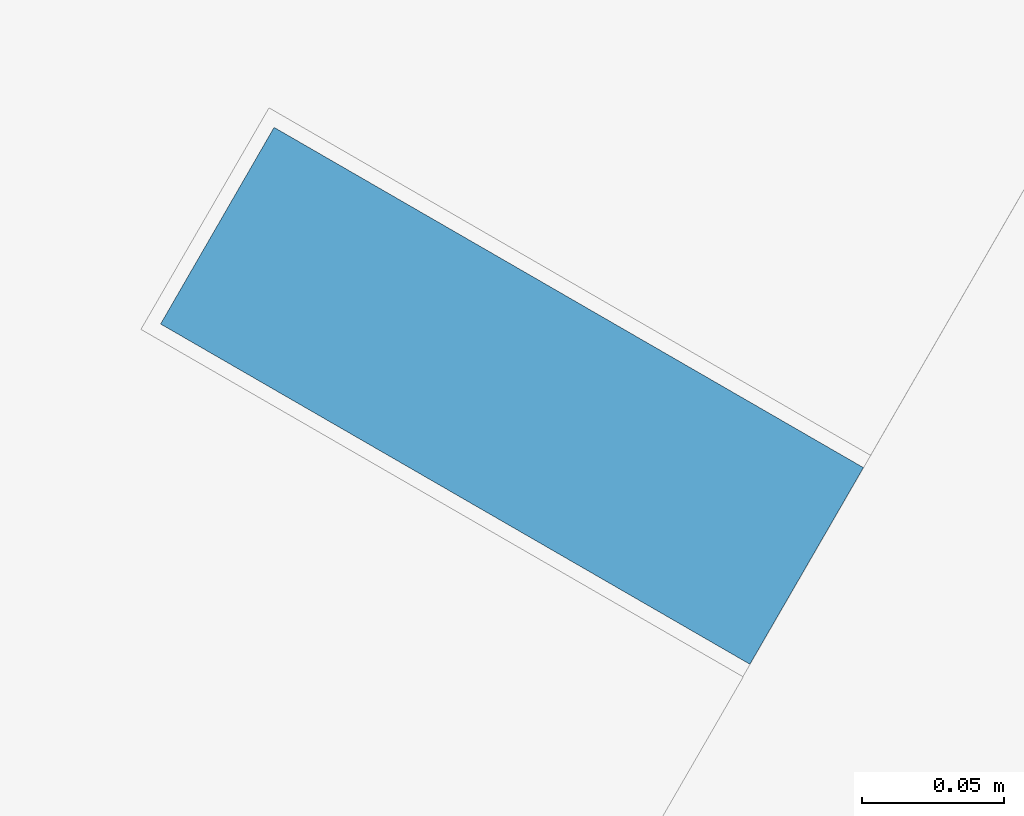
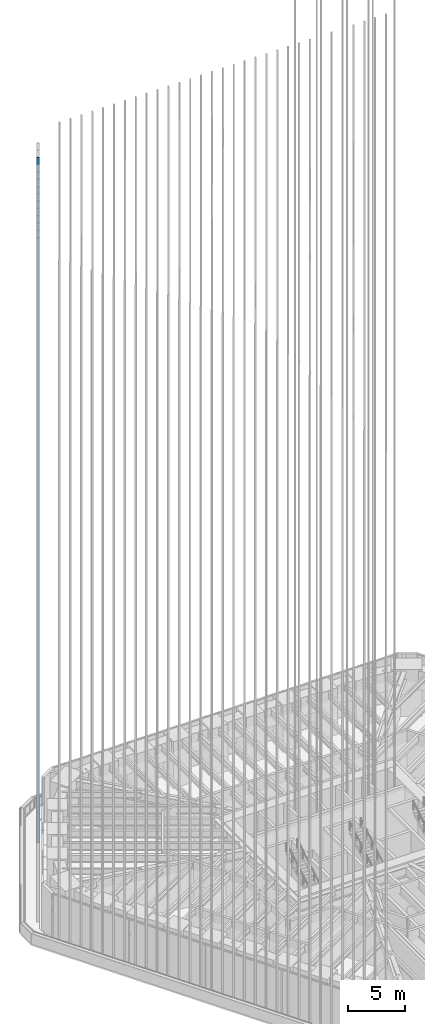
# One storey, part 150 of 228: 1 member, 1 element without a shape of its own.
"""IFC4 building model written with IfcOpenShell, lengths in metres."""

import ifcopenshell
import ifcopenshell.guid

model = None  # the IFC model being written
_history = None  # IfcOwnerHistory: only IFC2X3 demands one
_inside = {}  # id of a spatial element -> (the spatial element, [elements in it])
_under = {}  # id of a project, library or spatial element -> (it, [spatial elements below it])
_declared = {}  # id of a project -> (the project, [libraries it declares])
_typed = {}  # id of a type object -> (the type object, [elements of that type])
_made_of = {}  # id of a material, layer set ... -> (it, [elements and type objects made of it])


def new_model(schema):
    """Start an empty IFC model of exactly this schema.

    Asked for "IFC4X3", IfcOpenShell would pick the latest addendum, in which some entities
    have other attributes; the version numbers below select the first issue.
    IFC2X3 requires an IfcOwnerHistory on every rooted entity: one is made here for all.
    """
    global model, _history
    if schema == "IFC4X3":
        model = ifcopenshell.file(schema_version=(4, 3, 0, 0))
    else:
        model = ifcopenshell.file(schema=schema)
    _inside.clear()
    _under.clear()
    _declared.clear()
    _typed.clear()
    _made_of.clear()
    _history = None
    if model.schema == "IFC2X3":
        org = make("IfcOrganization", Name="unknown")
        user = make(
            "IfcPersonAndOrganization",
            ThePerson=make("IfcPerson", FamilyName="unknown"),
            TheOrganization=org,
        )
        app = make(
            "IfcApplication",
            ApplicationDeveloper=org,
            Version="unknown",
            ApplicationFullName="unknown",
            ApplicationIdentifier="unknown",
        )
        _history = make(
            "IfcOwnerHistory",
            OwningUser=user,
            OwningApplication=app,
            ChangeAction="ADDED",
            CreationDate=0,
        )
    return model


def make(cls, **values):
    """One entity of the class cls with the attributes given. An attribute that is None is left unset."""
    return model.create_entity(
        cls, **{name: value for name, value in values.items() if value is not None}
    )


def rooted(cls, **values):
    """An entity with a GlobalId (a new one), such as an element, a storey or a relation."""
    return make(cls, GlobalId=ifcopenshell.guid.new(), OwnerHistory=_history, **values)


def si_unit(unit_type, name, prefix=None):
    """IfcSIUnit, for example si_unit("LENGTHUNIT", "METRE", prefix="MILLI")."""
    return make("IfcSIUnit", UnitType=unit_type, Prefix=prefix, Name=name)


def assignment(units):
    """IfcUnitAssignment: the units of a project."""
    return None if units is None else make("IfcUnitAssignment", Units=units)


def point(xyz):
    """IfcCartesianPoint."""
    return None if xyz is None else make("IfcCartesianPoint", Coordinates=xyz)


def direction(xyz):
    """IfcDirection."""
    return None if xyz is None else make("IfcDirection", DirectionRatios=xyz)


def frame(location, z_axis=None, x_axis=None):
    """IfcAxis2Placement3D, a coordinate frame: its origin and axes. An axis left out is left unset."""
    return make(
        "IfcAxis2Placement3D",
        Location=point(location),
        Axis=direction(z_axis),
        RefDirection=direction(x_axis),
    )


def frame_2d(location, x_axis=None):
    """IfcAxis2Placement2D, a coordinate frame in the plane: its origin and x axis."""
    return make(
        "IfcAxis2Placement2D", Location=point(location), RefDirection=direction(x_axis)
    )


def origin():
    """The frame at (0, 0, 0) with its axes left unset."""
    return frame((0.0, 0.0, 0.0))


def origin_2d():
    """The frame at (0, 0) in the plane with its x axis left unset."""
    return frame_2d((0.0, 0.0))


def place(relative_to, where):
    """IfcLocalPlacement: puts the frame where relative to a parent placement (None: the world)."""
    return make(
        "IfcLocalPlacement", PlacementRelTo=relative_to, RelativePlacement=where
    )


def context(
    kind, dimensions, precision=None, world=None, true_north=None, identifier=None
):
    """IfcGeometricRepresentationContext, for example the 3D "Model" context."""
    return make(
        "IfcGeometricRepresentationContext",
        ContextIdentifier=identifier,
        ContextType=kind,
        CoordinateSpaceDimension=dimensions,
        Precision=precision,
        WorldCoordinateSystem=world,
        TrueNorth=true_north,
    )


def subcontext(parent, identifier, kind, view, scale=None):
    """IfcGeometricRepresentationSubContext, for example "Body" below "Model"."""
    return make(
        "IfcGeometricRepresentationSubContext",
        ContextIdentifier=identifier,
        ContextType=kind,
        ParentContext=parent,
        TargetScale=scale,
        TargetView=view,
    )


def project(units=None, contexts=None):
    """IfcProject with its units and contexts."""
    return rooted(
        "IfcProject",
        Name="project",
        RepresentationContexts=contexts,
        UnitsInContext=assignment(units),
    )


def spatial(cls, under=None, at=None, **own):
    """A site, building, storey or space (cls), placed at a placement, below another one or the project."""
    s = rooted(cls, ObjectPlacement=at, **own)
    if under is not None:
        _under.setdefault(under.id(), (under, []))[1].append(s)
    return s


def profile(cls, at=None, kind="AREA", **sizes):
    """A parametric profile (cls). Its sizes go by their IFC names, for example OverallWidth=200.0."""
    return make(cls, ProfileType=kind, Position=at, **sizes)


def rectangle(**sizes):
    """IfcRectangleProfileDef."""
    return profile("IfcRectangleProfileDef", **sizes)


def extrude(swept, where, along, depth):
    """IfcExtrudedAreaSolid: the profile swept, set in the frame where, extruded along a direction by depth."""
    return make(
        "IfcExtrudedAreaSolid",
        SweptArea=swept,
        Position=where,
        ExtrudedDirection=direction(along),
        Depth=depth,
    )


def shape(context_of_items, identifier, shape_type, items):
    """IfcShapeRepresentation: the items that make up one representation, for example the "Body"."""
    return make(
        "IfcShapeRepresentation",
        ContextOfItems=context_of_items,
        RepresentationIdentifier=identifier,
        RepresentationType=shape_type,
        Items=items,
    )


def material(Name=None, Category=None):
    """IfcMaterial."""
    return make("IfcMaterial", Name=Name, Category=Category)


def material_profile(
    of_material, cross_section, Name=None, Category=None, Priority=None
):
    """IfcMaterialProfile: a cross section and its material."""
    return make(
        "IfcMaterialProfile",
        Name=Name,
        Material=of_material,
        Profile=cross_section,
        Priority=Priority,
        Category=Category,
    )


def profile_set(profiles, Name=None, composite=None):
    """IfcMaterialProfileSet."""
    return make(
        "IfcMaterialProfileSet",
        Name=Name,
        MaterialProfiles=profiles,
        CompositeProfile=composite,
    )


def made_of(thing, what):
    """Note that an element or type object is made of a material, layer set ...; save() writes the relation."""
    if what is not None:
        _made_of.setdefault(what.id(), (what, []))[1].append(thing)
    return thing


def type_object(cls, material=None, **own):
    """A type object (cls), such as IfcWallType, which elements share."""
    return made_of(rooted(cls, **own), material)


def element(
    cls,
    number,
    at=None,
    inside=None,
    cuts=None,
    type_object=None,
    material=None,
    context=None,
    identifier="Body",
    shape_type=None,
    held_by="IfcProductDefinitionShape",
    body=None,
    shapes=None,
    **own,
):
    """One element of the class cls, such as IfcWall. Its Tag is "e" and its number.

    at: its placement. inside: the storey or other place that contains it. cuts: it is an
    opening in that element (IfcRelVoidsElement). A single representation is given by context,
    identifier, shape_type and body (its items); several are given by shapes. held_by: the class
    of the entity that holds the representations. save() writes the other relations.
    """
    e = rooted(cls, Tag="e%d" % number, ObjectPlacement=at, **own)
    if body is not None:
        shapes = [shape(context, identifier, shape_type, body)]
    if shapes is not None:
        e.Representation = make(held_by, Representations=shapes)
    if inside is not None:
        _inside.setdefault(inside.id(), (inside, []))[1].append(e)
    if cuts is not None:
        rooted(
            "IfcRelVoidsElement", RelatingBuildingElement=cuts, RelatedOpeningElement=e
        )
    if type_object is not None:
        _typed.setdefault(type_object.id(), (type_object, []))[1].append(e)
    return made_of(e, material)


def aggregate(whole, parts):
    """IfcRelAggregates: a whole, such as a stair, and the parts it consists of."""
    return rooted("IfcRelAggregates", RelatingObject=whole, RelatedObjects=parts)


def save(model, path):
    """Write the relations noted so far, then the file.

    IfcRelAggregates (storeys below a building ...), IfcRelContainedInSpatialStructure (elements
    in a storey), IfcRelDefinesByType, IfcRelAssociatesMaterial and IfcRelDeclares: one each for
    every whole, place, type object, material and project.
    """
    for whole, parts in _under.values():
        aggregate(whole, parts)
    for where, things in _inside.values():
        rooted(
            "IfcRelContainedInSpatialStructure",
            RelatedElements=things,
            RelatingStructure=where,
        )
    for kind, things in _typed.values():
        rooted("IfcRelDefinesByType", RelatedObjects=things, RelatingType=kind)
    for what, things in _made_of.values():
        rooted("IfcRelAssociatesMaterial", RelatedObjects=things, RelatingMaterial=what)
    for by, libraries in _declared.values():
        rooted("IfcRelDeclares", RelatingContext=by, RelatedDefinitions=libraries)
    model.write(path)


model = new_model("IFC4")

# Units and contexts
model_context = context("Model", 3, precision=1e-05, world=origin(), true_north=direction((0.0, 1.0)))
body_context = subcontext(model_context, "Body", "Model", "MODEL_VIEW")
ifc_project = project(units=[si_unit("LENGTHUNIT", "METRE"), si_unit("AREAUNIT", "SQUARE_METRE"), si_unit("VOLUMEUNIT", "CUBIC_METRE"), si_unit("PLANEANGLEUNIT", "RADIAN"), si_unit("MASSUNIT", "GRAM", prefix="KILO")], contexts=[model_context])

# Site, building, storey
site_placement = place(None, origin())
site = spatial("IfcSite", under=ifc_project, at=site_placement, CompositionType="ELEMENT")
building_placement = place(site_placement, origin())
building = spatial("IfcBuilding", under=site, at=building_placement, Name="Sandreach Pilgrim Tower", CompositionType="ELEMENT")
storey_placement = place(building_placement, frame((0.0, 0.0, 178.199951171875)))
storey = spatial("IfcBuildingStorey", under=building, at=storey_placement, Name="L44", CompositionType="ELEMENT", Elevation=178.199951171875)

# Curtain wall, member
ifc_material_1 = material(Name="Aluminium framed curtain wall", Category="aluminium")
curtain_wall_type = type_object("IfcCurtainWallType", Name="Upper hotel tower curtain wall", PredefinedType="NOTDEFINED", material=ifc_material_1)
curtain_wall_placement = place(storey_placement, origin())
curtain_wall = element("IfcCurtainWall", 1, at=curtain_wall_placement, inside=storey, type_object=curtain_wall_type, Name="CW-3 L44 NW", PredefinedType="NOTDEFINED")
ifc_material_2 = material(Name="Extruded terracotta on aluminium core", Category="masonry")
ifc_material_profile = material_profile(ifc_material_2, rectangle(XDim=0.080078125, YDim=0.239990234375, at=origin_2d()), Name="TBW 80X240")
ifc_profile_set = profile_set([ifc_material_profile], Name="Extruded terracotta on aluminium core")
member_type = type_object("IfcMemberType", Name="Terracotta baguette west", PredefinedType="USERDEFINED", material=ifc_profile_set)
member_placement = place(storey_placement, frame((-20.833251953125, 17.80615234375, 0.0), z_axis=(0.0, 0.0, 1.0), x_axis=(0.5, 0.866025403784, 0.0)))
member = element("IfcMember", 2, at=member_placement, type_object=member_type, Name="Baguette Z3 NW12", ObjectType="BAGUETTE", PredefinedType="USERDEFINED", context=body_context, shape_type="SweptSolid", body=[
    extrude(rectangle(XDim=0.080078125, YDim=0.239990234375, at=origin_2d()), origin(), (0.0, 0.0, 1.0), 73.239990234375),
])
aggregate(curtain_wall, [member])

save(model, "model.ifc")
